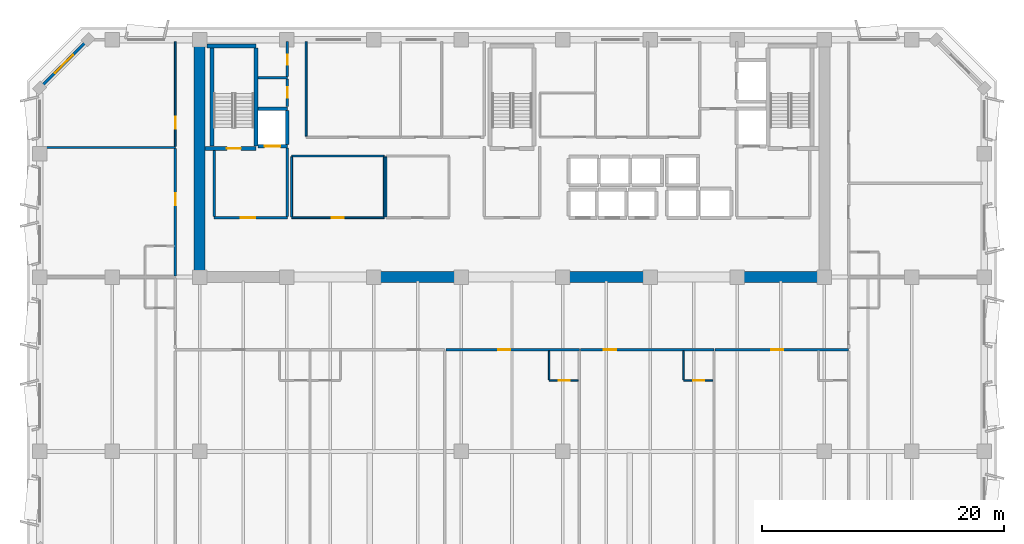
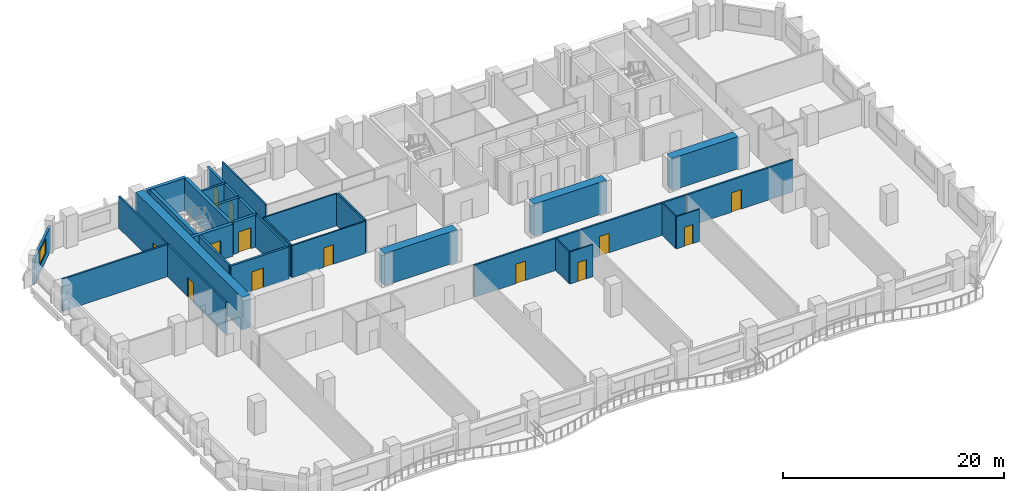
# One storey, part 5 of 14: 34 walls, 13 doors, 1 window, 14 openings.
"""IFC4 building model written with IfcOpenShell, lengths in metres."""

from ifc_helpers import new_model, si_unit, direction, frame, frame_2d, origin, place, context, subcontext, project, spatial, rectangle, extrude, material, layer, layer_set, type_object, element, fill, save


model = new_model("IFC4")

# Units and contexts
model_context = context("Model", 3, precision=1e-05, world=origin(), true_north=direction((0.0, 1.0)))
body_context = subcontext(model_context, "Body", "Model", "MODEL_VIEW")
ifc_project = project(units=[si_unit("LENGTHUNIT", "METRE"), si_unit("AREAUNIT", "SQUARE_METRE"), si_unit("VOLUMEUNIT", "CUBIC_METRE"), si_unit("PLANEANGLEUNIT", "RADIAN"), si_unit("MASSUNIT", "GRAM", prefix="KILO")], contexts=[model_context])

# Site, building, storey
site_placement = place(None, origin())
site = spatial("IfcSite", under=ifc_project, at=site_placement, CompositionType="ELEMENT")
building_placement = place(site_placement, origin())
building = spatial("IfcBuilding", under=site, at=building_placement, Name="Kaelvorn Grand Hotel", CompositionType="ELEMENT")
storey_placement = place(building_placement, frame((0.0, 0.0, 205.35009765625)))
storey = spatial("IfcBuildingStorey", under=building, at=storey_placement, Name="L50", CompositionType="ELEMENT", Elevation=205.35009765625)

# Walls
ifc_material_1 = material(Name="Concrete C60/75", Category="concrete")
ifc_layer_1 = layer(ifc_material_1, 0.89990234375)
ifc_layer_set_1 = layer_set([ifc_layer_1], Name="Concrete C60/75")
wall_type_1 = type_object("IfcWallType", Name="WL-CORE-900-C60", PredefinedType="SHEAR", material=ifc_layer_set_1)
wall_1_placement = place(storey_placement, frame((16.199951171875, 29.39990234375, 0.0), z_axis=(0.0, 0.0, 1.0), x_axis=(0.0, 1.0, 0.0)))
element("IfcWall", 1, at=wall_1_placement, inside=storey, type_object=wall_type_1, Name="L50 Rear-Core West Shear Wall", PredefinedType="SHEAR", context=body_context, shape_type="SweptSolid", body=[
    extrude(rectangle(XDim=19.2001953125, YDim=0.89990234375, at=frame_2d((9.60009765625, 0.0))), origin(), (0.0, 0.0, 1.0), 3.559814453125),
])
for number, where, z_axis, x_axis, name in (
    (2, (30.39990234375, 29.39990234375, 0.0), (0.0, 0.0, 1.0), (1.0, 0.0, 0.0), "L50 Rear-Core Coupled Shear Pier S2"),
    (3, (46.0, 29.39990234375, 0.0), (0.0, 0.0, 1.0), (1.0, 0.0, 0.0), "L50 Rear-Core Coupled Shear Pier S3"),
):
    element("IfcWall", number, at=place(storey_placement, frame(where, z_axis=z_axis, x_axis=x_axis)), inside=storey, type_object=wall_type_1, Name=name, PredefinedType="SHEAR", context=body_context, shape_type="SweptSolid", body=[
        extrude(rectangle(XDim=7.60009765625, YDim=0.89990234375, at=frame_2d((3.800048828125, 0.0))), origin(), (0.0, 0.0, 1.0), 3.559814453125),
    ])
wall_2_placement = place(storey_placement, frame((60.39990234375, 29.39990234375, 0.0), z_axis=(0.0, 0.0, 1.0), x_axis=(1.0, 0.0, 0.0)))
element("IfcWall", 4, at=wall_2_placement, inside=storey, type_object=wall_type_1, Name="L50 Rear-Core Coupled Shear Pier S4", PredefinedType="SHEAR", context=body_context, shape_type="SweptSolid", body=[
    extrude(rectangle(XDim=6.945068359375, YDim=0.89990234375, at=frame_2d((3.47265625, 0.0))), origin(), (0.0, 0.0, 1.0), 3.559814453125),
])

# Wall, opening, window
ifc_material_2 = material(Name="Concrete C40/50", Category="concrete")
ifc_layer_2 = layer(ifc_material_2, 0.239990234375)
ifc_layer_set_2 = layer_set([ifc_layer_2], Name="Concrete C40/50")
wall_type_2 = type_object("IfcWallType", Name="WL-EXT-240-C40", PredefinedType="SOLIDWALL", material=ifc_layer_set_2)
wall_3_placement = place(storey_placement, frame((7.0, 49.0, 0.0), z_axis=(0.0, 0.0, 1.0), x_axis=(-0.707106781187, -0.707106781187, 0.0)))
wall_3 = element("IfcWall", 5, at=wall_3_placement, inside=storey, type_object=wall_type_2, Name="L50 Exterior Architectural Concrete Wall 06", PredefinedType="SOLIDWALL", context=body_context, shape_type="SweptSolid", body=[
    extrude(rectangle(XDim=5.65673828125, YDim=0.239990234375, at=frame_2d((2.828369140625, 0.0))), origin(), (0.0, 0.0, 1.0), 2.760009765625),
])
opening_1_placement = place(wall_3_placement, frame((1.7783203125, 0.0, 0.85009765625)))
opening_1 = element("IfcOpeningElement", 6, at=opening_1_placement, cuts=wall_3, Name="Opening W7", PredefinedType="OPENING", context=body_context, shape_type="SweptSolid", body=[
    extrude(rectangle(XDim=2.10009765625, YDim=1.60009765625, at=frame_2d((1.050048828125, 0.800048828125))), frame((0.0, 0.1298828125, 0.0), z_axis=(0.0, -1.0, 0.0), x_axis=(1.0, 0.0, 0.0)), (0.0, 0.0, 1.0), 0.260009765625),
])
ifc_material_3 = material(Name="Laminated Low-E Glass", Category="glass")
window_type = type_object("IfcWindowType", Name="WIN-CHM-2100x1600", PartitioningType="SINGLE_PANEL", PredefinedType="WINDOW", material=ifc_material_3)
window_placement = place(opening_1_placement, origin())
window = element("IfcWindow", 7, at=window_placement, inside=storey, type_object=window_type, Name="L50 Chamfered 45-Degree Corner Window NW", OverallHeight=1.60009765625, OverallWidth=2.10009765625, PartitioningType="SINGLE_PANEL", PredefinedType="WINDOW", context=body_context, shape_type="SweptSolid", body=[
    extrude(rectangle(XDim=2.10009765625, YDim=1.60009765625, at=frame_2d((1.050048828125, 0.800048828125))), frame((0.0, 0.030029296875, 0.0), z_axis=(0.0, -1.0, 0.0), x_axis=(1.0, 0.0, 0.0)), (0.0, 0.0, 1.0), 0.06005859375),
])
fill(opening_1, window)

# Wall, opening, door
ifc_material_4 = material(Name="Moisture-Resistant Tile & Stud Board")
ifc_layer_3 = layer(ifc_material_4, 0.125)
ifc_layer_set_3 = layer_set([ifc_layer_3], Name="Moisture-Resistant Tile & Stud Board")
wall_type_3 = type_object("IfcWallType", Name="WL-PART-125-WET", PredefinedType="PARTITIONING", material=ifc_layer_set_3)
wall_4_placement = place(storey_placement, frame((45.06005859375, 20.85009765625, 0.0), z_axis=(0.0, 0.0, 1.0), x_axis=(1.0, 0.0, 0.0)))
wall_4 = element("IfcWall", 8, at=wall_4_placement, inside=storey, type_object=wall_type_3, Name="L50 En-suite Bathroom L50-03 S Partition", PredefinedType="PARTITIONING", context=body_context, shape_type="SweptSolid", body=[
    extrude(rectangle(XDim=2.405029296875, YDim=0.125, at=frame_2d((1.20263671875, 0.0))), origin(), (0.0, 0.0, 1.0), 3.559814453125),
])
opening_2_placement = place(wall_4_placement, frame((0.800048828125, 0.0, 0.0)))
opening_2 = element("IfcOpeningElement", 9, at=opening_2_placement, cuts=wall_4, Name="Opening DI4", PredefinedType="OPENING", context=body_context, shape_type="SweptSolid", body=[
    extrude(rectangle(XDim=0.89990234375, YDim=2.10009765625, at=frame_2d((0.449951171875, 1.050048828125))), frame((0.0, 0.072509765625, 0.0), z_axis=(0.0, -1.0, 0.0), x_axis=(1.0, 0.0, 0.0)), (0.0, 0.0, 1.0), 0.14501953125),
])
ifc_material_5 = material(Name="Timber Veneer Leaf", Category="wood")
door_type_1 = type_object("IfcDoorType", Name="DR-INT-BATH-900x2100", OperationType="NOTDEFINED", PredefinedType="DOOR", material=ifc_material_5)
door_1_placement = place(opening_2_placement, origin())
door_1 = element("IfcDoor", 10, at=door_1_placement, inside=storey, type_object=door_type_1, Name="L50 En-suite Bathroom L50-03 Door", OperationType="SINGLE_SWING_RIGHT", OverallHeight=2.10009765625, OverallWidth=0.89990234375, PredefinedType="DOOR", context=body_context, shape_type="SweptSolid", body=[
    extrude(rectangle(XDim=0.89990234375, YDim=2.10009765625, at=frame_2d((0.449951171875, 1.050048828125))), frame((0.0, 0.02490234375, 0.0), z_axis=(0.0, -1.0, 0.0), x_axis=(1.0, 0.0, 0.0)), (0.0, 0.0, 1.0), 0.050048828125),
])
fill(opening_2, door_1)

# Wall
wall_5_placement = place(storey_placement, frame((45.06005859375, 20.91748046875, 0.0), z_axis=(0.0, 0.0, 1.0), x_axis=(0.0, 1.0, 0.0)))
element("IfcWall", 11, at=wall_5_placement, inside=storey, type_object=wall_type_3, Name="L50 En-suite Bathroom L50-03 W Partition", PredefinedType="PARTITIONING", context=body_context, shape_type="SweptSolid", body=[
    extrude(rectangle(XDim=2.387451171875, YDim=0.125, at=frame_2d((1.19384765625, 0.0))), origin(), (0.0, 0.0, 1.0), 3.559814453125),
])

# Wall, opening, door
wall_6_placement = place(storey_placement, frame((56.179931640625, 20.85009765625, 0.0), z_axis=(0.0, 0.0, 1.0), x_axis=(1.0, 0.0, 0.0)))
wall_6 = element("IfcWall", 12, at=wall_6_placement, inside=storey, type_object=wall_type_3, Name="L50 En-suite Bathroom L50-04 S Partition", PredefinedType="PARTITIONING", context=body_context, shape_type="SweptSolid", body=[
    extrude(rectangle(XDim=2.405029296875, YDim=0.125, at=frame_2d((1.20263671875, 0.0))), origin(), (0.0, 0.0, 1.0), 3.559814453125),
])
opening_3_placement = place(wall_6_placement, frame((0.800048828125, 0.0, 0.0)))
opening_3 = element("IfcOpeningElement", 13, at=opening_3_placement, cuts=wall_6, Name="Opening DI4", PredefinedType="OPENING", context=body_context, shape_type="SweptSolid", body=[
    extrude(rectangle(XDim=0.89990234375, YDim=2.10009765625, at=frame_2d((0.449951171875, 1.050048828125))), frame((0.0, 0.072509765625, 0.0), z_axis=(0.0, -1.0, 0.0), x_axis=(1.0, 0.0, 0.0)), (0.0, 0.0, 1.0), 0.14501953125),
])
door_2_placement = place(opening_3_placement, origin())
door_2 = element("IfcDoor", 14, at=door_2_placement, inside=storey, type_object=door_type_1, Name="L50 En-suite Bathroom L50-04 Door", OperationType="SINGLE_SWING_RIGHT", OverallHeight=2.10009765625, OverallWidth=0.89990234375, PredefinedType="DOOR", context=body_context, shape_type="SweptSolid", body=[
    extrude(rectangle(XDim=0.89990234375, YDim=2.10009765625, at=frame_2d((0.449951171875, 1.050048828125))), frame((0.0, 0.02490234375, 0.0), z_axis=(0.0, -1.0, 0.0), x_axis=(1.0, 0.0, 0.0)), (0.0, 0.0, 1.0), 0.050048828125),
])
fill(opening_3, door_2)

# Walls
wall_7_placement = place(storey_placement, frame((56.179931640625, 20.91748046875, 0.0), z_axis=(0.0, 0.0, 1.0), x_axis=(0.0, 1.0, 0.0)))
element("IfcWall", 15, at=wall_7_placement, inside=storey, type_object=wall_type_3, Name="L50 En-suite Bathroom L50-04 W Partition", PredefinedType="PARTITIONING", context=body_context, shape_type="SweptSolid", body=[
    extrude(rectangle(XDim=2.387451171875, YDim=0.125, at=frame_2d((1.19384765625, 0.0))), origin(), (0.0, 0.0, 1.0), 3.559814453125),
])
ifc_material_6 = material(Name="Acoustic Gypsum & Stud Partition")
ifc_layer_4 = layer(ifc_material_6, 0.14990234375)
ifc_layer_set_4 = layer_set([ifc_layer_4], Name="Acoustic Gypsum & Stud Partition")
wall_type_4 = type_object("IfcWallType", Name="WL-PART-150-EI60", PredefinedType="PARTITIONING", material=ifc_layer_set_4)
wall_8_placement = place(storey_placement, frame((31.60009765625, 34.3798828125, 0.0), z_axis=(0.0, 0.0, 1.0), x_axis=(0.0, 1.0, 0.0)))
element("IfcWall", 16, at=wall_8_placement, inside=storey, type_object=wall_type_4, Name="L50 Core Telecoms & BMS Server Room W Partition", PredefinedType="PARTITIONING", context=body_context, shape_type="SweptSolid", body=[
    extrude(rectangle(XDim=4.940185546875, YDim=0.14990234375, at=frame_2d((2.47021484375, 0.0))), origin(), (0.0, 0.0, 1.0), 3.559814453125),
])

# Wall, opening, door
wall_9_placement = place(storey_placement, frame((23.800048828125, 34.300048828125, 0.0), z_axis=(0.0, 0.0, 1.0), x_axis=(1.0, 0.0, 0.0)))
wall_9 = element("IfcWall", 17, at=wall_9_placement, inside=storey, type_object=wall_type_4, Name="L50 Executive Club Sitting Lounge S Partition", PredefinedType="PARTITIONING", context=body_context, shape_type="SweptSolid", body=[
    extrude(rectangle(XDim=7.64990234375, YDim=0.14990234375, at=frame_2d((3.824951171875, 0.0))), origin(), (0.0, 0.0, 1.0), 3.559814453125),
])
opening_4_placement = place(wall_9_placement, frame((3.300048828125, 0.0, 0.0)))
opening_4 = element("IfcOpeningElement", 18, at=opening_4_placement, cuts=wall_9, Name="Opening DI3", PredefinedType="OPENING", context=body_context, shape_type="SweptSolid", body=[
    extrude(rectangle(XDim=1.0, YDim=2.14990234375, at=frame_2d((0.5, 1.074951171875))), frame((0.0, 0.0849609375, 0.0), z_axis=(0.0, -1.0, 0.0), x_axis=(1.0, 0.0, 0.0)), (0.0, 0.0, 1.0), 0.169921875),
])
ifc_material_7 = material(Name="Timber Veneer Fire Leaf", Category="wood")
door_type_2 = type_object("IfcDoorType", Name="DR-INT-GUEST-1000x2150", OperationType="NOTDEFINED", PredefinedType="DOOR", material=ifc_material_7)
door_3_placement = place(opening_4_placement, origin())
door_3 = element("IfcDoor", 19, at=door_3_placement, inside=storey, type_object=door_type_2, Name="L50 Executive Club Sitting Lounge Door", OperationType="SINGLE_SWING_RIGHT", OverallHeight=2.14990234375, OverallWidth=1.0, PredefinedType="DOOR", context=body_context, shape_type="SweptSolid", body=[
    extrude(rectangle(XDim=1.0, YDim=2.14990234375, at=frame_2d((0.5, 1.074951171875))), frame((0.0, 0.02490234375, 0.0), z_axis=(0.0, -1.0, 0.0), x_axis=(1.0, 0.0, 0.0)), (0.0, 0.0, 1.0), 0.050048828125),
])
fill(opening_4, door_3)

# Walls
wall_10_placement = place(storey_placement, frame((23.800048828125, 39.39990234375, 0.0), z_axis=(0.0, 0.0, 1.0), x_axis=(1.0, 0.0, 0.0)))
element("IfcWall", 20, at=wall_10_placement, inside=storey, type_object=wall_type_4, Name="L50 Executive Club Sitting Lounge N Partition", PredefinedType="PARTITIONING", context=body_context, shape_type="SweptSolid", body=[
    extrude(rectangle(XDim=7.64990234375, YDim=0.14990234375, at=frame_2d((3.824951171875, 0.0))), origin(), (0.0, 0.0, 1.0), 3.559814453125),
])
for number, where, z_axis, x_axis, name in (
    (21, (23.800048828125, 34.3798828125, 0.0), (0.0, 0.0, 1.0), (0.0, 1.0, 0.0), "L50 Executive Club Sitting Lounge W Partition"),
    (22, (31.449951171875, 34.3798828125, 0.0), (0.0, 0.0, 1.0), (0.0, 1.0, 0.0), "L50 Executive Club Sitting Lounge E Partition"),
):
    element("IfcWall", number, at=place(storey_placement, frame(where, z_axis=z_axis, x_axis=x_axis)), inside=storey, type_object=wall_type_4, Name=name, PredefinedType="PARTITIONING", context=body_context, shape_type="SweptSolid", body=[
        extrude(rectangle(XDim=4.940185546875, YDim=0.14990234375, at=frame_2d((2.47021484375, 0.0))), origin(), (0.0, 0.0, 1.0), 3.559814453125),
    ])
wall_11_placement = place(storey_placement, frame((25.0, 41.030029296875, 0.0), z_axis=(0.0, 0.0, 1.0), x_axis=(0.0, 1.0, 0.0)))
element("IfcWall", 23, at=wall_11_placement, inside=storey, type_object=wall_type_4, Name="L50 Housekeeping & Linen Room W Partition", PredefinedType="PARTITIONING", context=body_context, shape_type="SweptSolid", body=[
    extrude(rectangle(XDim=7.820068359375, YDim=0.14990234375, at=frame_2d((3.91015625, 0.0))), origin(), (0.0, 0.0, 1.0), 3.559814453125),
])

# Wall, opening, door
wall_12_placement = place(storey_placement, frame((14.199951171875, 40.195068359375, 0.0), z_axis=(0.0, 0.0, 1.0), x_axis=(0.0, 1.0, 0.0)))
wall_12 = element("IfcWall", 24, at=wall_12_placement, inside=storey, type_object=wall_type_4, Name="L50 North-West Executive Law Office E Partition", PredefinedType="PARTITIONING", context=body_context, shape_type="SweptSolid", body=[
    extrude(rectangle(XDim=8.655029296875, YDim=0.14990234375, at=frame_2d((4.32763671875, 0.0))), origin(), (0.0, 0.0, 1.0), 3.559814453125),
])
opening_5_placement = place(wall_12_placement, frame((1.455078125, 0.0, 0.0)))
opening_5 = element("IfcOpeningElement", 25, at=opening_5_placement, cuts=wall_12, Name="Opening DI3", PredefinedType="OPENING", context=body_context, shape_type="SweptSolid", body=[
    extrude(rectangle(XDim=1.0, YDim=2.14990234375, at=frame_2d((0.5, 1.074951171875))), frame((0.0, 0.0849609375, 0.0), z_axis=(0.0, -1.0, 0.0), x_axis=(1.0, 0.0, 0.0)), (0.0, 0.0, 1.0), 0.169921875),
])
door_4_placement = place(opening_5_placement, origin())
door_4 = element("IfcDoor", 26, at=door_4_placement, inside=storey, type_object=door_type_2, Name="L50 North-West Executive Law Office Door", OperationType="SINGLE_SWING_LEFT", OverallHeight=2.14990234375, OverallWidth=1.0, PredefinedType="DOOR", context=body_context, shape_type="SweptSolid", body=[
    extrude(rectangle(XDim=1.0, YDim=2.14990234375, at=frame_2d((0.5, 1.074951171875))), frame((0.0, 0.02490234375, 0.0), z_axis=(0.0, -1.0, 0.0), x_axis=(1.0, 0.0, 0.0)), (0.0, 0.0, 1.0), 0.050048828125),
])
fill(opening_5, door_4)

ifc_layer_5 = layer(ifc_material_6, 0.179931640625)
ifc_layer_set_5 = layer_set([ifc_layer_5], Name="Acoustic Gypsum & Stud Partition")
wall_type_5 = type_object("IfcWallType", Name="WL-PART-180-EI60", PredefinedType="PARTITIONING", material=ifc_layer_set_5)
wall_13_placement = place(storey_placement, frame((36.534912109375, 23.39990234375, 0.0), z_axis=(0.0, 0.0, 1.0), x_axis=(1.0, 0.0, 0.0)))
wall_13 = element("IfcWall", 27, at=wall_13_placement, inside=storey, type_object=wall_type_5, Name="L50 Mid-Rise Signature Suite L50-03 N Partition", PredefinedType="PARTITIONING", context=body_context, shape_type="SweptSolid", body=[
    extrude(rectangle(XDim=11.025146484375, YDim=0.179931640625, at=frame_2d((5.5126953125, 0.0))), origin(), (0.0, 0.0, 1.0), 3.559814453125),
])
opening_6_placement = place(wall_13_placement, frame((4.3349609375, 0.0, 0.0)))
opening_6 = element("IfcOpeningElement", 28, at=opening_6_placement, cuts=wall_13, Name="Opening DI3", PredefinedType="OPENING", context=body_context, shape_type="SweptSolid", body=[
    extrude(rectangle(XDim=1.0, YDim=2.14990234375, at=frame_2d((0.5, 1.074951171875))), frame((0.0, 0.10009765625, 0.0), z_axis=(0.0, -1.0, 0.0), x_axis=(1.0, 0.0, 0.0)), (0.0, 0.0, 1.0), 0.199951171875),
])
door_5_placement = place(opening_6_placement, origin())
door_5 = element("IfcDoor", 29, at=door_5_placement, inside=storey, type_object=door_type_2, Name="L50 Mid-Rise Signature Suite L50-03 Door", OperationType="SINGLE_SWING_LEFT", OverallHeight=2.14990234375, OverallWidth=1.0, PredefinedType="DOOR", context=body_context, shape_type="SweptSolid", body=[
    extrude(rectangle(XDim=1.0, YDim=2.14990234375, at=frame_2d((0.5, 1.074951171875))), frame((0.0, 0.02490234375, 0.0), z_axis=(0.0, -1.0, 0.0), x_axis=(1.0, 0.0, 0.0)), (0.0, 0.0, 1.0), 0.050048828125),
])
fill(opening_6, door_5)

wall_14_placement = place(storey_placement, frame((47.655029296875, 23.39990234375, 0.0), z_axis=(0.0, 0.0, 1.0), x_axis=(1.0, 0.0, 0.0)))
wall_14 = element("IfcWall", 30, at=wall_14_placement, inside=storey, type_object=wall_type_5, Name="L50 Mid-Rise Signature Suite L50-04 N Partition", PredefinedType="PARTITIONING", context=body_context, shape_type="SweptSolid", body=[
    extrude(rectangle(XDim=11.02490234375, YDim=0.179931640625, at=frame_2d((5.512451171875, 0.0))), origin(), (0.0, 0.0, 1.0), 3.559814453125),
])
opening_7_placement = place(wall_14_placement, frame((1.93505859375, 0.0, 0.0)))
opening_7 = element("IfcOpeningElement", 31, at=opening_7_placement, cuts=wall_14, Name="Opening DI3", PredefinedType="OPENING", context=body_context, shape_type="SweptSolid", body=[
    extrude(rectangle(XDim=1.0, YDim=2.14990234375, at=frame_2d((0.5, 1.074951171875))), frame((0.0, 0.10009765625, 0.0), z_axis=(0.0, -1.0, 0.0), x_axis=(1.0, 0.0, 0.0)), (0.0, 0.0, 1.0), 0.199951171875),
])
door_6_placement = place(opening_7_placement, origin())
door_6 = element("IfcDoor", 32, at=door_6_placement, inside=storey, type_object=door_type_2, Name="L50 Mid-Rise Signature Suite L50-04 Door", OperationType="SINGLE_SWING_LEFT", OverallHeight=2.14990234375, OverallWidth=1.0, PredefinedType="DOOR", context=body_context, shape_type="SweptSolid", body=[
    extrude(rectangle(XDim=1.0, YDim=2.14990234375, at=frame_2d((0.5, 1.074951171875))), frame((0.0, 0.02490234375, 0.0), z_axis=(0.0, -1.0, 0.0), x_axis=(1.0, 0.0, 0.0)), (0.0, 0.0, 1.0), 0.050048828125),
])
fill(opening_7, door_6)

wall_15_placement = place(storey_placement, frame((58.77490234375, 23.39990234375, 0.0), z_axis=(0.0, 0.0, 1.0), x_axis=(1.0, 0.0, 0.0)))
wall_15 = element("IfcWall", 33, at=wall_15_placement, inside=storey, type_object=wall_type_5, Name="L50 Mid-Rise Signature Suite L50-05 N Partition", PredefinedType="PARTITIONING", context=body_context, shape_type="SweptSolid", body=[
    extrude(rectangle(XDim=11.025146484375, YDim=0.179931640625, at=frame_2d((5.5126953125, 0.0))), origin(), (0.0, 0.0, 1.0), 3.559814453125),
])
opening_8_placement = place(wall_15_placement, frame((4.614990234375, 0.0, 0.0)))
opening_8 = element("IfcOpeningElement", 34, at=opening_8_placement, cuts=wall_15, Name="Opening DI3", PredefinedType="OPENING", context=body_context, shape_type="SweptSolid", body=[
    extrude(rectangle(XDim=1.0, YDim=2.14990234375, at=frame_2d((0.5, 1.074951171875))), frame((0.0, 0.10009765625, 0.0), z_axis=(0.0, -1.0, 0.0), x_axis=(1.0, 0.0, 0.0)), (0.0, 0.0, 1.0), 0.199951171875),
])
door_7_placement = place(opening_8_placement, origin())
door_7 = element("IfcDoor", 35, at=door_7_placement, inside=storey, type_object=door_type_2, Name="L50 Mid-Rise Signature Suite L50-05 Door", OperationType="SINGLE_SWING_LEFT", OverallHeight=2.14990234375, OverallWidth=1.0, PredefinedType="DOOR", context=body_context, shape_type="SweptSolid", body=[
    extrude(rectangle(XDim=1.0, YDim=2.14990234375, at=frame_2d((0.5, 1.074951171875))), frame((0.0, 0.02490234375, 0.0), z_axis=(0.0, -1.0, 0.0), x_axis=(1.0, 0.0, 0.0)), (0.0, 0.0, 1.0), 0.050048828125),
])
fill(opening_8, door_7)

# Wall
wall_16_placement = place(storey_placement, frame((3.14990234375, 40.10009765625, 0.0), z_axis=(0.0, 0.0, 1.0), x_axis=(1.0, 0.0, 0.0)))
element("IfcWall", 36, at=wall_16_placement, inside=storey, type_object=wall_type_5, Name="L50 North-West Wing Suite L50-08 N Partition", PredefinedType="PARTITIONING", context=body_context, shape_type="SweptSolid", body=[
    extrude(rectangle(XDim=11.050048828125, YDim=0.179931640625, at=frame_2d((5.52490234375, 0.0))), origin(), (0.0, 0.0, 1.0), 3.559814453125),
])

# Wall, opening, door
wall_17_placement = place(storey_placement, frame((14.199951171875, 29.4951171875, 0.0), z_axis=(0.0, 0.0, 1.0), x_axis=(0.0, 1.0, 0.0)))
wall_17 = element("IfcWall", 37, at=wall_17_placement, inside=storey, type_object=wall_type_5, Name="L50 North-West Wing Suite L50-08 E Partition", PredefinedType="PARTITIONING", context=body_context, shape_type="SweptSolid", body=[
    extrude(rectangle(XDim=10.509765625, YDim=0.179931640625, at=frame_2d((5.2548828125, 0.0))), origin(), (0.0, 0.0, 1.0), 3.559814453125),
])
opening_9_placement = place(wall_17_placement, frame((5.840087890625, 0.0, 0.0)))
opening_9 = element("IfcOpeningElement", 38, at=opening_9_placement, cuts=wall_17, Name="Opening DI3", PredefinedType="OPENING", context=body_context, shape_type="SweptSolid", body=[
    extrude(rectangle(XDim=1.0, YDim=2.14990234375, at=frame_2d((0.5, 1.074951171875))), frame((0.0, 0.10009765625, 0.0), z_axis=(0.0, -1.0, 0.0), x_axis=(1.0, 0.0, 0.0)), (0.0, 0.0, 1.0), 0.199951171875),
])
door_8_placement = place(opening_9_placement, origin())
door_8 = element("IfcDoor", 39, at=door_8_placement, inside=storey, type_object=door_type_2, Name="L50 North-West Wing Suite L50-08 Door", OperationType="SINGLE_SWING_LEFT", OverallHeight=2.14990234375, OverallWidth=1.0, PredefinedType="DOOR", context=body_context, shape_type="SweptSolid", body=[
    extrude(rectangle(XDim=1.0, YDim=2.14990234375, at=frame_2d((0.5, 1.074951171875))), frame((0.0, 0.02490234375, 0.0), z_axis=(0.0, -1.0, 0.0), x_axis=(1.0, 0.0, 0.0)), (0.0, 0.0, 1.0), 0.050048828125),
])
fill(opening_9, door_8)

ifc_layer_6 = layer(ifc_material_2, 0.219970703125)
ifc_layer_set_6 = layer_set([ifc_layer_6], Name="Concrete C40/50")
wall_type_6 = type_object("IfcWallType", Name="WL-PART-220-EI120", PredefinedType="PARTITIONING", material=ifc_layer_set_6)
wall_18_placement = place(storey_placement, frame((17.39990234375, 34.300048828125, 0.0), z_axis=(0.0, 0.0, 1.0), x_axis=(1.0, 0.0, 0.0)))
wall_18 = element("IfcWall", 40, at=wall_18_placement, inside=storey, type_object=wall_type_6, Name="L50 Firefighting Lift Lobby 1 S Partition", PredefinedType="PARTITIONING", context=body_context, shape_type="SweptSolid", body=[
    extrude(rectangle(XDim=6.050048828125, YDim=0.219970703125, at=frame_2d((3.02490234375, 0.0))), origin(), (0.0, 0.0, 1.0), 3.559814453125),
])
opening_10_placement = place(wall_18_placement, frame((2.199951171875, 0.0, 0.0)))
opening_10 = element("IfcOpeningElement", 41, at=opening_10_placement, cuts=wall_18, Name="Opening DI2", PredefinedType="OPENING", context=body_context, shape_type="SweptSolid", body=[
    extrude(rectangle(XDim=1.199951171875, YDim=2.14990234375, at=frame_2d((0.60009765625, 1.074951171875))), frame((0.0, 0.1201171875, 0.0), z_axis=(0.0, -1.0, 0.0), x_axis=(1.0, 0.0, 0.0)), (0.0, 0.0, 1.0), 0.239990234375),
])
door_type_3 = type_object("IfcDoorType", Name="DR-INT-FFLOB-1200x2150", OperationType="NOTDEFINED", PredefinedType="DOOR", material=ifc_material_7)
door_9_placement = place(opening_10_placement, origin())
door_9 = element("IfcDoor", 42, at=door_9_placement, inside=storey, type_object=door_type_3, Name="L50 Firefighting Lift Lobby 1 Door", OperationType="SINGLE_SWING_LEFT", OverallHeight=2.14990234375, OverallWidth=1.199951171875, PredefinedType="DOOR", context=body_context, shape_type="SweptSolid", body=[
    extrude(rectangle(XDim=1.199951171875, YDim=2.14990234375, at=frame_2d((0.60009765625, 1.074951171875))), frame((0.0, 0.02490234375, 0.0), z_axis=(0.0, -1.0, 0.0), x_axis=(1.0, 0.0, 0.0)), (0.0, 0.0, 1.0), 0.050048828125),
])
fill(opening_10, door_9)

# Walls
wall_19_placement = place(storey_placement, frame((17.39990234375, 34.4150390625, 0.0), z_axis=(0.0, 0.0, 1.0), x_axis=(0.0, 1.0, 0.0)))
element("IfcWall", 43, at=wall_19_placement, inside=storey, type_object=wall_type_6, Name="L50 Firefighting Lift Lobby 1 W Partition", PredefinedType="PARTITIONING", context=body_context, shape_type="SweptSolid", body=[
    extrude(rectangle(XDim=5.429931640625, YDim=0.219970703125, at=frame_2d((2.71484375, 0.0))), origin(), (0.0, 0.0, 1.0), 3.559814453125),
])
wall_20_placement = place(storey_placement, frame((23.449951171875, 34.4150390625, 0.0), z_axis=(0.0, 0.0, 1.0), x_axis=(0.0, 1.0, 0.0)))
element("IfcWall", 44, at=wall_20_placement, inside=storey, type_object=wall_type_6, Name="L50 Firefighting Lift Lobby 1 E Partition", PredefinedType="PARTITIONING", context=body_context, shape_type="SweptSolid", body=[
    extrude(rectangle(XDim=5.639892578125, YDim=0.219970703125, at=frame_2d((2.81982421875, 0.0))), origin(), (0.0, 0.0, 1.0), 3.559814453125),
])
wall_21_placement = place(storey_placement, frame((21.034912109375, 45.85009765625, 0.0), z_axis=(0.0, 0.0, 1.0), x_axis=(1.0, 0.0, 0.0)))
element("IfcWall", 45, at=wall_21_placement, inside=storey, type_object=wall_type_6, Name="L50 Wet Fire & Plumbing Riser Shaft N Partition", PredefinedType="PARTITIONING", context=body_context, shape_type="SweptSolid", body=[
    extrude(rectangle(XDim=2.4150390625, YDim=0.219970703125, at=frame_2d((1.20751953125, 0.0))), origin(), (0.0, 0.0, 1.0), 3.559814453125),
])

# Wall, opening, door
wall_22_placement = place(storey_placement, frame((23.449951171875, 43.5, 0.0), z_axis=(0.0, 0.0, 1.0), x_axis=(0.0, 1.0, 0.0)))
wall_22 = element("IfcWall", 46, at=wall_22_placement, inside=storey, type_object=wall_type_6, Name="L50 Wet Fire & Plumbing Riser Shaft E Partition", PredefinedType="PARTITIONING", context=body_context, shape_type="SweptSolid", body=[
    extrude(rectangle(XDim=2.235107421875, YDim=0.219970703125, at=frame_2d((1.11767578125, 0.0))), origin(), (0.0, 0.0, 1.0), 3.559814453125),
])
opening_11_placement = place(wall_22_placement, frame((0.72509765625, 0.0, 0.0)))
opening_11 = element("IfcOpeningElement", 47, at=opening_11_placement, cuts=wall_22, Name="Opening DI7", PredefinedType="OPENING", context=body_context, shape_type="SweptSolid", body=[
    extrude(rectangle(XDim=0.85009765625, YDim=2.10009765625, at=frame_2d((0.425048828125, 1.050048828125))), frame((0.0, 0.1201171875, 0.0), z_axis=(0.0, -1.0, 0.0), x_axis=(1.0, 0.0, 0.0)), (0.0, 0.0, 1.0), 0.239990234375),
])
ifc_material_8 = material(Name="Powder-Coated Steel Leaf", Category="steel")
door_type_4 = type_object("IfcDoorType", Name="DR-INT-RISER-850x2100", OperationType="NOTDEFINED", PredefinedType="DOOR", material=ifc_material_8)
door_10_placement = place(opening_11_placement, origin())
door_10 = element("IfcDoor", 48, at=door_10_placement, inside=storey, type_object=door_type_4, Name="L50 Wet Fire & Plumbing Riser Shaft Door", OperationType="SINGLE_SWING_LEFT", OverallHeight=2.10009765625, OverallWidth=0.85009765625, PredefinedType="DOOR", context=body_context, shape_type="SweptSolid", body=[
    extrude(rectangle(XDim=0.85009765625, YDim=2.10009765625, at=frame_2d((0.425048828125, 1.050048828125))), frame((0.0, 0.02490234375, 0.0), z_axis=(0.0, -1.0, 0.0), x_axis=(1.0, 0.0, 0.0)), (0.0, 0.0, 1.0), 0.050048828125),
])
fill(opening_11, door_10)

wall_23_placement = place(storey_placement, frame((23.449951171875, 45.965087890625, 0.0), z_axis=(0.0, 0.0, 1.0), x_axis=(0.0, 1.0, 0.0)))
wall_23 = element("IfcWall", 49, at=wall_23_placement, inside=storey, type_object=wall_type_6, Name="L50 HV Electrical & Smoke Riser E Partition", PredefinedType="PARTITIONING", context=body_context, shape_type="SweptSolid", body=[
    extrude(rectangle(XDim=2.885009765625, YDim=0.219970703125, at=frame_2d((1.4423828125, 0.0))), origin(), (0.0, 0.0, 1.0), 3.559814453125),
])
opening_12_placement = place(wall_23_placement, frame((0.9599609375, 0.0, 0.0)))
opening_12 = element("IfcOpeningElement", 50, at=opening_12_placement, cuts=wall_23, Name="Opening DI7", PredefinedType="OPENING", context=body_context, shape_type="SweptSolid", body=[
    extrude(rectangle(XDim=0.85009765625, YDim=2.10009765625, at=frame_2d((0.425048828125, 1.050048828125))), frame((0.0, 0.1201171875, 0.0), z_axis=(0.0, -1.0, 0.0), x_axis=(1.0, 0.0, 0.0)), (0.0, 0.0, 1.0), 0.239990234375),
])
door_11_placement = place(opening_12_placement, origin())
door_11 = element("IfcDoor", 51, at=door_11_placement, inside=storey, type_object=door_type_4, Name="L50 HV Electrical & Smoke Riser Door", OperationType="SINGLE_SWING_RIGHT", OverallHeight=2.10009765625, OverallWidth=0.85009765625, PredefinedType="DOOR", context=body_context, shape_type="SweptSolid", body=[
    extrude(rectangle(XDim=0.85009765625, YDim=2.10009765625, at=frame_2d((0.425048828125, 1.050048828125))), frame((0.0, 0.02490234375, 0.0), z_axis=(0.0, -1.0, 0.0), x_axis=(1.0, 0.0, 0.0)), (0.0, 0.0, 1.0), 0.050048828125),
])
fill(opening_12, door_11)

ifc_material_9 = material(Name="Concrete C50/60", Category="concrete")
ifc_layer_7 = layer(ifc_material_9, 0.280029296875)
ifc_layer_set_7 = layer_set([ifc_layer_7], Name="Concrete C50/60")
wall_type_7 = type_object("IfcWallType", Name="WL-SHAFT-280-C50", PredefinedType="SHEAR", material=ifc_layer_set_7)
wall_24_placement = place(storey_placement, frame((21.034912109375, 40.199951171875, 0.0), z_axis=(0.0, 0.0, 1.0), x_axis=(1.0, 0.0, 0.0)))
wall_24 = element("IfcWall", 52, at=wall_24_placement, inside=storey, type_object=wall_type_7, Name="L50 Lift FFL1 Shaft South Wall", PredefinedType="SHEAR", context=body_context, shape_type="SweptSolid", body=[
    extrude(rectangle(XDim=2.4150390625, YDim=0.280029296875, at=frame_2d((1.20751953125, 0.0))), origin(), (0.0, 0.0, 1.0), 3.559814453125),
])
opening_13_placement = place(wall_24_placement, frame((0.5400390625, 0.0, 0.0)))
opening_13 = element("IfcOpeningElement", 53, at=opening_13_placement, cuts=wall_24, Name="Opening LD-FFL1", PredefinedType="OPENING", context=body_context, shape_type="SweptSolid", body=[
    extrude(rectangle(XDim=1.300048828125, YDim=2.300048828125, at=frame_2d((0.64990234375, 1.14990234375))), frame((0.0, 0.14990234375, 0.0), z_axis=(0.0, -1.0, 0.0), x_axis=(1.0, 0.0, 0.0)), (0.0, 0.0, 1.0), 0.300048828125),
])
ifc_material_10 = material(Name="Stainless Steel", Category="steel")
door_type_5 = type_object("IfcDoorType", Name="DR-LIFT-SERV-1300x2300", OperationType="DOUBLE_DOOR_SLIDING", PredefinedType="DOOR", material=ifc_material_10)
door_12_placement = place(opening_13_placement, origin())
door_12 = element("IfcDoor", 54, at=door_12_placement, inside=storey, type_object=door_type_5, Name="L50 Lift FFL1 Sliding Landing Door LD-FFL1", OperationType="DOUBLE_DOOR_SLIDING", OverallHeight=2.300048828125, OverallWidth=1.300048828125, PredefinedType="DOOR", context=body_context, shape_type="SweptSolid", body=[
    extrude(rectangle(XDim=1.300048828125, YDim=2.300048828125, at=frame_2d((0.64990234375, 1.14990234375))), frame((0.0, 0.02490234375, 0.0), z_axis=(0.0, -1.0, 0.0), x_axis=(1.0, 0.0, 0.0)), (0.0, 0.0, 1.0), 0.050048828125),
])
fill(opening_13, door_12)

# Walls
wall_25_placement = place(storey_placement, frame((21.034912109375, 43.300048828125, 0.0), z_axis=(0.0, 0.0, 1.0), x_axis=(1.0, 0.0, 0.0)))
element("IfcWall", 55, at=wall_25_placement, inside=storey, type_object=wall_type_7, Name="L50 Lift FFL1 Shaft North Wall", PredefinedType="SHEAR", context=body_context, shape_type="SweptSolid", body=[
    extrude(rectangle(XDim=2.4150390625, YDim=0.280029296875, at=frame_2d((1.20751953125, 0.0))), origin(), (0.0, 0.0, 1.0), 3.559814453125),
])
wall_26_placement = place(storey_placement, frame((23.449951171875, 40.344970703125, 0.0), z_axis=(0.0, 0.0, 1.0), x_axis=(0.0, 1.0, 0.0)))
element("IfcWall", 56, at=wall_26_placement, inside=storey, type_object=wall_type_7, Name="L50 Lift FFL1 Shaft East Wall", PredefinedType="SHEAR", context=body_context, shape_type="SweptSolid", body=[
    extrude(rectangle(XDim=2.81005859375, YDim=0.280029296875, at=frame_2d((1.405029296875, 0.0))), origin(), (0.0, 0.0, 1.0), 3.559814453125),
])

# Wall, opening, door
ifc_layer_8 = layer(ifc_material_1, 0.35009765625)
ifc_layer_set_8 = layer_set([ifc_layer_8], Name="Concrete C60/75")
wall_type_8 = type_object("IfcWallType", Name="WL-SHAFT-350-C60", PredefinedType="SHEAR", material=ifc_layer_set_8)
wall_27_placement = place(storey_placement, frame((16.655029296875, 40.02490234375, 0.0), z_axis=(0.0, 0.0, 1.0), x_axis=(1.0, 0.0, 0.0)))
wall_27 = element("IfcWall", 57, at=wall_27_placement, inside=storey, type_object=wall_type_8, Name="L50 ST1 Stair Shaft South Wall", PredefinedType="SHEAR", context=body_context, shape_type="SweptSolid", body=[
    extrude(rectangle(XDim=4.199951171875, YDim=0.35009765625, at=frame_2d((2.10009765625, 0.0))), origin(), (0.0, 0.0, 1.0), 3.559814453125),
])
opening_14_placement = place(wall_27_placement, frame((1.81005859375, 0.0, 0.0)))
opening_14 = element("IfcOpeningElement", 58, at=opening_14_placement, cuts=wall_27, Name="Opening DI1", PredefinedType="OPENING", context=body_context, shape_type="SweptSolid", body=[
    extrude(rectangle(XDim=1.14990234375, YDim=2.14990234375, at=frame_2d((0.574951171875, 1.074951171875))), frame((0.0, 0.18505859375, 0.0), z_axis=(0.0, -1.0, 0.0), x_axis=(1.0, 0.0, 0.0)), (0.0, 0.0, 1.0), 0.3701171875),
])
door_type_6 = type_object("IfcDoorType", Name="DR-INT-STAIR-1150x2150", OperationType="NOTDEFINED", PredefinedType="DOOR", material=ifc_material_7)
door_13_placement = place(opening_14_placement, origin())
door_13 = element("IfcDoor", 59, at=door_13_placement, inside=storey, type_object=door_type_6, Name="L50 ST1 Exit Stair Fire Door", OperationType="SINGLE_SWING_RIGHT", OverallHeight=2.14990234375, OverallWidth=1.14990234375, PredefinedType="DOOR", context=body_context, shape_type="SweptSolid", body=[
    extrude(rectangle(XDim=1.14990234375, YDim=2.14990234375, at=frame_2d((0.574951171875, 1.074951171875))), frame((0.0, 0.02490234375, 0.0), z_axis=(0.0, -1.0, 0.0), x_axis=(1.0, 0.0, 0.0)), (0.0, 0.0, 1.0), 0.050048828125),
])
fill(opening_14, door_13)

# Walls
wall_28_placement = place(storey_placement, frame((16.804931640625, 48.47509765625, 0.0), z_axis=(0.0, 0.0, 1.0), x_axis=(1.0, 0.0, 0.0)))
element("IfcWall", 60, at=wall_28_placement, inside=storey, type_object=wall_type_8, Name="L50 ST1 Stair Shaft North Wall", PredefinedType="SHEAR", context=body_context, shape_type="SweptSolid", body=[
    extrude(rectangle(XDim=4.050048828125, YDim=0.35009765625, at=frame_2d((2.02490234375, 0.0))), origin(), (0.0, 0.0, 1.0), 3.559814453125),
])
for number, where, z_axis, x_axis, name in (
    (61, (17.22509765625, 40.205078125, 0.0), (0.0, 0.0, 1.0), (0.0, 1.0, 0.0), "L50 ST1 Stair Shaft West Wall"),
    (62, (20.85498046875, 40.205078125, 0.0), (0.0, 0.0, 1.0), (0.0, 1.0, 0.0), "L50 ST1 Stair Shaft East Wall"),
):
    element("IfcWall", number, at=place(storey_placement, frame(where, z_axis=z_axis, x_axis=x_axis)), inside=storey, type_object=wall_type_8, Name=name, PredefinedType="SHEAR", context=body_context, shape_type="SweptSolid", body=[
        extrude(rectangle(XDim=8.08984375, YDim=0.35009765625, at=frame_2d((4.044921875, 0.0))), origin(), (0.0, 0.0, 1.0), 3.559814453125),
    ])

save(model, "model.ifc")
